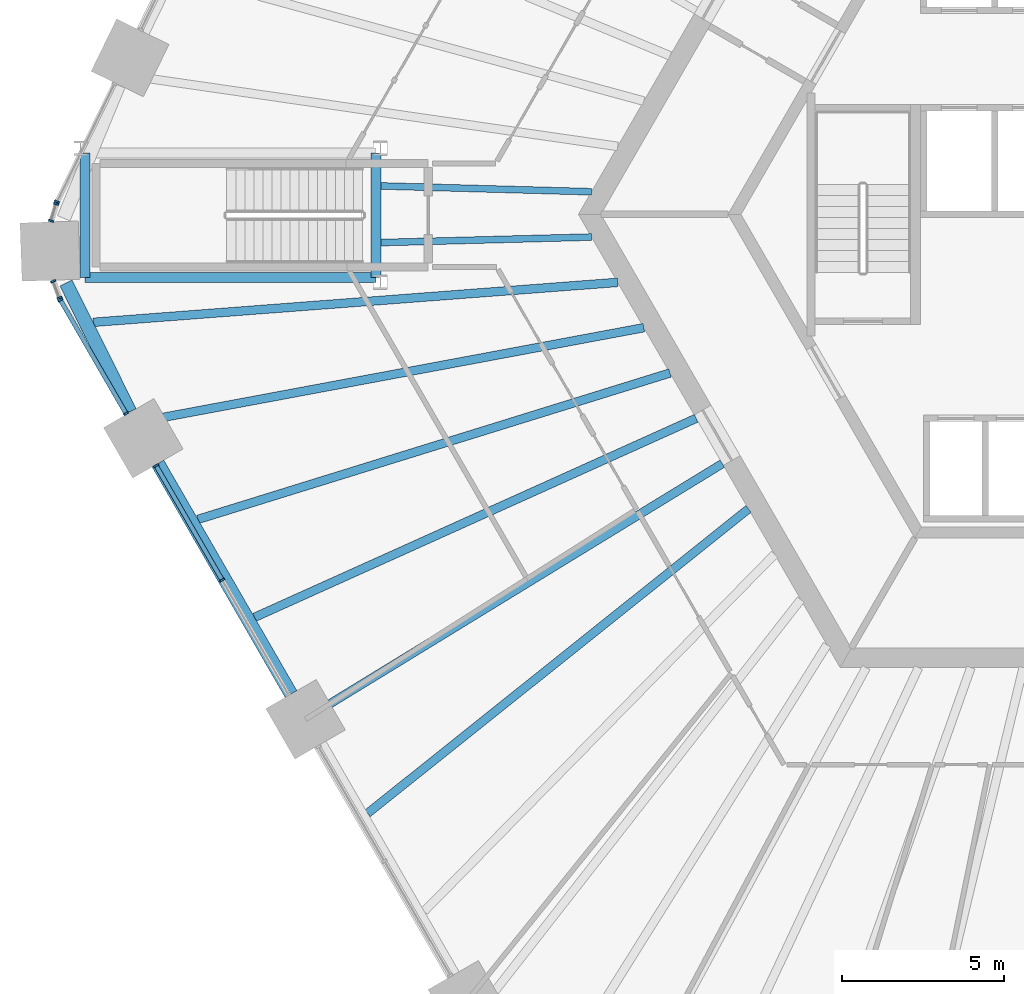
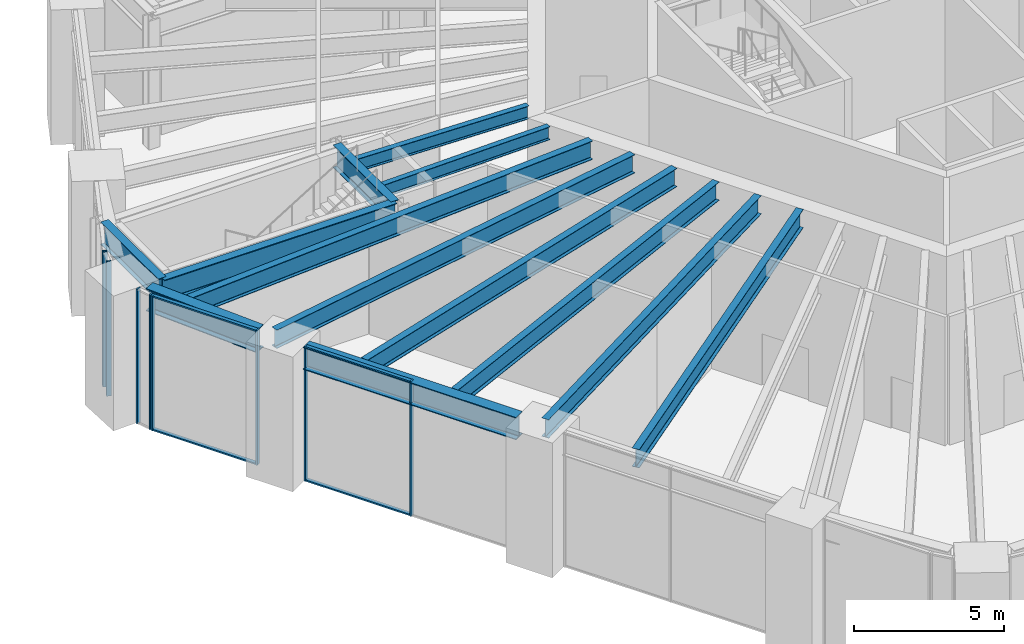
# One storey, part 4 of 30: 13 beams, 13 members, 5 elements without a shape of their own.
"""IFC4 building model written with IfcOpenShell, lengths in metres."""

from ifc_helpers import new_model, si_unit, direction, frame, origin, origin_2d, place, context, subcontext, project, spatial, rectangle, i_section, extrude, material, material_profile, profile_set, type_object, element, aggregate, save


model = new_model("IFC4")

# Units and contexts
model_context = context("Model", 3, precision=1e-05, world=origin(), true_north=direction((0.0, 1.0)))
body_context = subcontext(model_context, "Body", "Model", "MODEL_VIEW")
ifc_project = project(units=[si_unit("LENGTHUNIT", "METRE"), si_unit("AREAUNIT", "SQUARE_METRE"), si_unit("VOLUMEUNIT", "CUBIC_METRE"), si_unit("PLANEANGLEUNIT", "RADIAN"), si_unit("MASSUNIT", "GRAM", prefix="KILO")], contexts=[model_context])

# Site, building, storey
site_placement = place(None, origin())
site = spatial("IfcSite", under=ifc_project, at=site_placement, CompositionType="ELEMENT")
building_placement = place(site_placement, origin())
building = spatial("IfcBuilding", under=site, at=building_placement, Name="Tarnside Tower", CompositionType="ELEMENT")
storey_placement = place(building_placement, frame((0.0, 0.0, 15.0)))
storey = spatial("IfcBuildingStorey", under=building, at=storey_placement, Name="L02", CompositionType="ELEMENT", Elevation=15.0)

# Beams
ifc_material_1 = material(Name="Steel S355", Category="steel")
ifc_material_profile_1 = material_profile(ifc_material_1, i_section(OverallWidth=0.209228515625, OverallDepth=0.533203125, WebThickness=0.010009765625, FlangeThickness=0.015625, FilletRadius=0.0126953125, at=origin_2d()), Name="UB 533x210x92")
ifc_profile_set_1 = profile_set([ifc_material_profile_1], Name="Steel S355")
beam_type_1 = type_object("IfcBeamType", Name="Floor beam UB 533x210x92", PredefinedType="BEAM", material=ifc_profile_set_1)
beam_1_placement = place(storey_placement, frame((-22.272216796875, 0.87890625, 4.9833984375), z_axis=(0.999622442049, -0.027476778416, 0.0), x_axis=(0.027476778416, 0.999622442049, 0.0)))
element("IfcBeam", 1, at=beam_1_placement, inside=storey, type_object=beam_type_1, Name="Floor beam F2.09", PredefinedType="BEAM", context=body_context, shape_type="SweptSolid", body=[
    extrude(i_section(OverallWidth=0.209228515625, OverallDepth=0.533203125, WebThickness=0.010009765625, FlangeThickness=0.015625, FilletRadius=0.0126953125, at=origin_2d()), origin(), (0.0, 0.0, 1.0), 6.512939453125),
])
beam_2_placement = place(storey_placement, frame((-22.272216796875, -0.87109375, 4.9833984375), z_axis=(0.99965467127, 0.026278093695, 0.0), x_axis=(-0.026278093695, 0.99965467127, 0.0)))
element("IfcBeam", 2, at=beam_2_placement, inside=storey, type_object=beam_type_1, Name="Floor beam C2", PredefinedType="BEAM", context=body_context, shape_type="SweptSolid", body=[
    extrude(i_section(OverallWidth=0.209228515625, OverallDepth=0.533203125, WebThickness=0.010009765625, FlangeThickness=0.015625, FilletRadius=0.0126953125, at=origin_2d()), origin(), (0.0, 0.0, 1.0), 6.5126953125),
])
ifc_material_profile_2 = material_profile(ifc_material_1, i_section(OverallWidth=0.26513671875, OverallDepth=0.75390625, WebThickness=0.0126953125, FlangeThickness=0.017578125, FilletRadius=0.0166015625, at=origin_2d()), Name="UB 762x267x147")
ifc_profile_set_2 = profile_set([ifc_material_profile_2], Name="Steel S355")
beam_type_2 = type_object("IfcBeamType", Name="Floor beam UB 762x267x147", PredefinedType="BEAM", material=ifc_profile_set_2)
beam_3_placement = place(storey_placement, frame((-29.635498046875, -6.389892578125, 4.873046875), z_axis=(0.983039284809, 0.183395104955, 0.0), x_axis=(-0.183395104955, 0.983039284809, 0.0)))
element("IfcBeam", 3, at=beam_3_placement, inside=storey, type_object=beam_type_2, Name="Floor beam F3.02", PredefinedType="BEAM", context=body_context, shape_type="SweptSolid", body=[
    extrude(i_section(OverallWidth=0.26513671875, OverallDepth=0.75390625, WebThickness=0.0126953125, FlangeThickness=0.017578125, FilletRadius=0.0166015625, at=origin_2d()), origin(), (0.0, 0.0, 1.0), 15.7578125),
])
beam_4_placement = place(storey_placement, frame((-27.919189453125, -9.422119140625, 4.873046875), z_axis=(0.955125617377, 0.2962010382, 0.0), x_axis=(-0.2962010382, 0.955125617377, 0.0)))
element("IfcBeam", 4, at=beam_4_placement, inside=storey, type_object=beam_type_2, Name="Floor beam F3.03", PredefinedType="BEAM", context=body_context, shape_type="SweptSolid", body=[
    extrude(i_section(OverallWidth=0.26513671875, OverallDepth=0.75390625, WebThickness=0.0126953125, FlangeThickness=0.017578125, FilletRadius=0.0166015625, at=origin_2d()), origin(), (0.0, 0.0, 1.0), 15.267333984375),
])
beam_5_placement = place(storey_placement, frame((-26.171875, -12.44873046875, 4.873046875), z_axis=(0.911691503599, 0.410875409662, 0.0), x_axis=(-0.410875409662, 0.911691503599, 0.0)))
element("IfcBeam", 5, at=beam_5_placement, inside=storey, type_object=beam_type_2, Name="Floor beam F3.04", PredefinedType="BEAM", context=body_context, shape_type="SweptSolid", body=[
    extrude(i_section(OverallWidth=0.26513671875, OverallDepth=0.75390625, WebThickness=0.0126953125, FlangeThickness=0.017578125, FilletRadius=0.0166015625, at=origin_2d()), origin(), (0.0, 0.0, 1.0), 14.96484375),
])
beam_6_placement = place(storey_placement, frame((-24.42431640625, -15.47509765625, 4.873046875), z_axis=(0.852937246249, 0.522013461475, 0.0), x_axis=(-0.522013461475, 0.852937246249, 0.0)))
element("IfcBeam", 6, at=beam_6_placement, inside=storey, type_object=beam_type_2, Name="Floor beam F3.05", PredefinedType="BEAM", context=body_context, shape_type="SweptSolid", body=[
    extrude(i_section(OverallWidth=0.26513671875, OverallDepth=0.75390625, WebThickness=0.0126953125, FlangeThickness=0.017578125, FilletRadius=0.0166015625, at=origin_2d()), origin(), (0.0, 0.0, 1.0), 14.89453125),
])
beam_7_placement = place(storey_placement, frame((-22.677001953125, -18.501708984375, 4.873046875), z_axis=(0.78120872965, 0.62426991015, 0.0), x_axis=(-0.62426991015, 0.78120872965, 0.0)))
element("IfcBeam", 7, at=beam_7_placement, inside=storey, type_object=beam_type_2, Name="Floor beam F3.06", PredefinedType="BEAM", context=body_context, shape_type="SweptSolid", body=[
    extrude(i_section(OverallWidth=0.26513671875, OverallDepth=0.75390625, WebThickness=0.0126953125, FlangeThickness=0.017578125, FilletRadius=0.0166015625, at=origin_2d()), origin(), (0.0, 0.0, 1.0), 15.06005859375),
])
ifc_material_profile_3 = material_profile(ifc_material_1, i_section(OverallWidth=0.2666015625, OverallDepth=0.76220703125, WebThickness=0.014404296875, FlangeThickness=0.021484375, FilletRadius=0.0166015625, at=origin_2d()), Name="UB 762x267x173")
ifc_profile_set_3 = profile_set([ifc_material_profile_3], Name="Steel S355")
beam_type_3 = type_object("IfcBeamType", Name="Floor beam UB 762x267x173", PredefinedType="BEAM", material=ifc_profile_set_3)
beam_8_placement = place(storey_placement, frame((-31.15625, -3.33447265625, 4.868896484375), z_axis=(0.997110688509, 0.075962325269, 0.0), x_axis=(-0.075962325269, 0.997110688509, 0.0)))
element("IfcBeam", 8, at=beam_8_placement, inside=storey, type_object=beam_type_3, Name="Floor beam F3.01", PredefinedType="BEAM", context=body_context, shape_type="SweptSolid", body=[
    extrude(i_section(OverallWidth=0.2666015625, OverallDepth=0.76220703125, WebThickness=0.014404296875, FlangeThickness=0.021484375, FilletRadius=0.0166015625, at=origin_2d()), origin(), (0.0, 0.0, 1.0), 16.249755859375),
])
ifc_material_profile_4 = material_profile(ifc_material_1, i_section(OverallWidth=0.3076171875, OverallDepth=0.926513671875, WebThickness=0.01953125, FlangeThickness=0.031982421875, FilletRadius=0.01904296875, at=origin_2d()), Name="UB 914x305x289")
ifc_profile_set_4 = profile_set([ifc_material_profile_4], Name="Steel S355")
beam_type_4 = type_object("IfcBeamType", Name="Perimeter girder UB 914x305x289", PredefinedType="BEAM", material=ifc_profile_set_4)
for number, where, z_axis, x_axis, name in (
    (9, (-31.40380859375, -1.953857421875, 4.78662109375), (0.0, 1.0, 0.0), (-1.0, 0.0, 0.0), "Perimeter girder T5"),
    (10, (-22.426025390625, 1.90380859375, 4.78662109375), (0.0, -1.0, 0.0), (1.0, 0.0, 0.0), "Perimeter girder T7"),
):
    element("IfcBeam", number, at=place(storey_placement, frame(where, z_axis=z_axis, x_axis=x_axis)), inside=storey, type_object=beam_type_4, Name=name, PredefinedType="BEAM", context=body_context, shape_type="SweptSolid", body=[
        extrude(i_section(OverallWidth=0.3076171875, OverallDepth=0.926513671875, WebThickness=0.01953125, FlangeThickness=0.031982421875, FilletRadius=0.01904296875, at=origin_2d()), origin(), (0.0, 0.0, 1.0), 3.857666015625),
    ])
beam_9_placement = place(storey_placement, frame((-22.426025390625, -1.953857421875, 4.78662109375), z_axis=(-1.0, 0.0, 0.0), x_axis=(0.0, -1.0, 0.0)))
element("IfcBeam", 11, at=beam_9_placement, inside=storey, type_object=beam_type_4, Name="Perimeter girder T8", PredefinedType="BEAM", context=body_context, shape_type="SweptSolid", body=[
    extrude(i_section(OverallWidth=0.3076171875, OverallDepth=0.926513671875, WebThickness=0.01953125, FlangeThickness=0.031982421875, FilletRadius=0.01904296875, at=origin_2d()), origin(), (0.0, 0.0, 1.0), 8.977783203125),
])
ifc_material_2 = material(Name="Steel S460", Category="steel")
ifc_material_profile_5 = material_profile(ifc_material_2, i_section(OverallWidth=0.42041015625, OverallDepth=0.9208984375, WebThickness=0.021484375, FlangeThickness=0.03662109375, FilletRadius=0.024169921875, at=origin_2d()), Name="UB 914x419x388")
ifc_profile_set_5 = profile_set([ifc_material_profile_5], Name="Steel S460")
beam_type_5 = type_object("IfcBeamType", Name="Perimeter girder UB 914x419x388", PredefinedType="BEAM", material=ifc_profile_set_5)
beam_10_placement = place(storey_placement, frame((-31.995849609375, -2.119140625, 4.78955078125), z_axis=(0.44551934757, -0.895272311055, 0.0), x_axis=(0.895272311055, 0.44551934757, 0.0)))
element("IfcBeam", 12, at=beam_10_placement, inside=storey, type_object=beam_type_5, Name="Perimeter girder M08", PredefinedType="BEAM", context=body_context, shape_type="SweptSolid", body=[
    extrude(i_section(OverallWidth=0.42041015625, OverallDepth=0.9208984375, WebThickness=0.021484375, FlangeThickness=0.03662109375, FilletRadius=0.024169921875, at=origin_2d()), origin(), (0.0, 0.0, 1.0), 4.4404296875),
])
beam_11_placement = place(storey_placement, frame((-29.15771484375, -7.697509765625, 4.78955078125), z_axis=(0.500002567197, -0.866023921607, 0.0), x_axis=(0.866023921607, 0.500002567197, 0.0)))
element("IfcBeam", 13, at=beam_11_placement, inside=storey, type_object=beam_type_5, Name="Perimeter girder M09", PredefinedType="BEAM", context=body_context, shape_type="SweptSolid", body=[
    extrude(i_section(OverallWidth=0.42041015625, OverallDepth=0.9208984375, WebThickness=0.021484375, FlangeThickness=0.03662109375, FilletRadius=0.024169921875, at=origin_2d()), origin(), (0.0, 0.0, 1.0), 8.2236328125),
])

# Curtain wall, member
ifc_material_3 = material(Name="Retail shopfront glazing wall", Category="glass")
curtain_wall_type = type_object("IfcCurtainWallType", Name="Retail shopfront glazing wall", PredefinedType="NOTDEFINED", material=ifc_material_3)
curtain_wall_1_placement = place(storey_placement, origin())
curtain_wall_1 = element("IfcCurtainWall", 14, at=curtain_wall_1_placement, inside=storey, type_object=curtain_wall_type, Name="Retail shopfront glazing L02 06.0", PredefinedType="NOTDEFINED")
ifc_material_4 = material(Name="Aluminium alloy 6063", Category="aluminium")
ifc_material_profile_6 = material_profile(ifc_material_4, rectangle(XDim=0.159912109375, YDim=0.06005859375, at=origin_2d()), Name="Retail shopfront glazing mullion 60 x 160")
ifc_profile_set_6 = profile_set([ifc_material_profile_6], Name="Aluminium alloy 6063")
member_type_1 = type_object("IfcMemberType", Name="Retail shopfront glazing mullion 60 x 160", PredefinedType="MULLION", material=ifc_profile_set_6)
member_1_placement = place(storey_placement, frame((-32.27392578125, 0.393310546875, -0.25), z_axis=(0.0, 0.0, 1.0), x_axis=(0.898794046314, -0.438371146758, 0.0)))
member_1 = element("IfcMember", 15, at=member_1_placement, type_object=member_type_1, Name="CW2 mullion 2", PredefinedType="MULLION", context=body_context, shape_type="SweptSolid", body=[
    extrude(rectangle(XDim=0.159912109375, YDim=0.06005859375, at=origin_2d()), origin(), (0.0, 0.0, 1.0), 5.5),
])
aggregate(curtain_wall_1, [member_1])

# Curtain wall, members
curtain_wall_2_placement = place(storey_placement, origin())
curtain_wall_2 = element("IfcCurtainWall", 16, at=curtain_wall_2_placement, inside=storey, type_object=curtain_wall_type, Name="Retail shopfront glazing L02 06.1", PredefinedType="NOTDEFINED")
member_2_placement = place(storey_placement, frame((-32.30029296875, 0.325439453125, -0.25), z_axis=(0.0, 0.0, 1.0), x_axis=(0.957989512749, -0.286803231262, 0.0)))
member_2 = element("IfcMember", 17, at=member_2_placement, type_object=member_type_1, Name="CW2 mullion 1", PredefinedType="MULLION", context=body_context, shape_type="SweptSolid", body=[
    extrude(rectangle(XDim=0.159912109375, YDim=0.06005859375, at=origin_2d()), origin(), (0.0, 0.0, 1.0), 5.5),
])
member_3_placement = place(storey_placement, frame((-32.45751953125, -0.19970703125, -0.25), z_axis=(0.0, 0.0, 1.0), x_axis=(0.957989512749, -0.286803231262, 0.0)))
member_3 = element("IfcMember", 18, at=member_3_placement, type_object=member_type_1, Name="CW2 mullion 2", PredefinedType="MULLION", context=body_context, shape_type="SweptSolid", body=[
    extrude(rectangle(XDim=0.159912109375, YDim=0.06005859375, at=origin_2d()), origin(), (0.0, 0.0, 1.0), 5.5),
])
aggregate(curtain_wall_2, [member_2, member_3])

curtain_wall_3_placement = place(storey_placement, origin())
curtain_wall_3 = element("IfcCurtainWall", 19, at=curtain_wall_3_placement, inside=storey, type_object=curtain_wall_type, Name="Retail shopfront glazing L02 07.0", PredefinedType="NOTDEFINED")
member_4_placement = place(storey_placement, frame((-32.392578125, -2.06494140625, -0.25), z_axis=(0.0, 0.0, 1.0), x_axis=(0.935649516189, 0.352930563788, 0.0)))
member_4 = element("IfcMember", 20, at=member_4_placement, type_object=member_type_1, Name="CW2 mullion 1", PredefinedType="MULLION", context=body_context, shape_type="SweptSolid", body=[
    extrude(rectangle(XDim=0.159912109375, YDim=0.06005859375, at=origin_2d()), origin(), (0.0, 0.0, 1.0), 5.5),
])
member_5_placement = place(storey_placement, frame((-32.198974609375, -2.577880859375, -0.25), z_axis=(0.0, 0.0, 1.0), x_axis=(0.935649516189, 0.352930563788, 0.0)))
member_5 = element("IfcMember", 21, at=member_5_placement, type_object=member_type_1, Name="CW2 mullion 2", PredefinedType="MULLION", context=body_context, shape_type="SweptSolid", body=[
    extrude(rectangle(XDim=0.159912109375, YDim=0.06005859375, at=origin_2d()), origin(), (0.0, 0.0, 1.0), 5.5),
])
aggregate(curtain_wall_3, [member_4, member_5])

curtain_wall_4_placement = place(storey_placement, origin())
curtain_wall_4 = element("IfcCurtainWall", 22, at=curtain_wall_4_placement, inside=storey, type_object=curtain_wall_type, Name="Retail shopfront glazing L02 07.1", PredefinedType="NOTDEFINED")
member_6_placement = place(storey_placement, frame((-32.167724609375, -2.6435546875, -0.25), z_axis=(0.0, 0.0, 1.0), x_axis=(0.866025403767, 0.50000000003, 0.0)))
member_6 = element("IfcMember", 23, at=member_6_placement, type_object=member_type_1, Name="CW2 mullion 1", PredefinedType="MULLION", context=body_context, shape_type="SweptSolid", body=[
    extrude(rectangle(XDim=0.159912109375, YDim=0.06005859375, at=origin_2d()), origin(), (0.0, 0.0, 1.0), 5.5),
])
member_7_placement = place(storey_placement, frame((-30.141845703125, -6.152587890625, -0.25), z_axis=(0.0, 0.0, 1.0), x_axis=(0.866025403767, 0.50000000003, 0.0)))
member_7 = element("IfcMember", 24, at=member_7_placement, type_object=member_type_1, Name="CW2 mullion 2", PredefinedType="MULLION", context=body_context, shape_type="SweptSolid", body=[
    extrude(rectangle(XDim=0.159912109375, YDim=0.06005859375, at=origin_2d()), origin(), (0.0, 0.0, 1.0), 5.5),
])

curtain_wall_5_placement = place(storey_placement, origin())
curtain_wall_5 = element("IfcCurtainWall", 25, at=curtain_wall_5_placement, inside=storey, type_object=curtain_wall_type, Name="Retail shopfront glazing L02 08.0", PredefinedType="NOTDEFINED")
member_8_placement = place(storey_placement, frame((-29.2119140625, -7.763427734375, -0.25), z_axis=(0.0, 0.0, 1.0), x_axis=(0.866025403819, 0.49999999994, 0.0)))
member_8 = element("IfcMember", 26, at=member_8_placement, type_object=member_type_1, Name="CW2 mullion 1", PredefinedType="MULLION", context=body_context, shape_type="SweptSolid", body=[
    extrude(rectangle(XDim=0.159912109375, YDim=0.06005859375, at=origin_2d()), origin(), (0.0, 0.0, 1.0), 5.5),
])
member_9_placement = place(storey_placement, frame((-27.1708984375, -11.29833984375, -0.25), z_axis=(0.0, 0.0, 1.0), x_axis=(0.866025403819, 0.49999999994, 0.0)))
member_9 = element("IfcMember", 27, at=member_9_placement, type_object=member_type_1, Name="CW2 mullion 2", PredefinedType="MULLION", context=body_context, shape_type="SweptSolid", body=[
    extrude(rectangle(XDim=0.159912109375, YDim=0.06005859375, at=origin_2d()), origin(), (0.0, 0.0, 1.0), 5.5),
])

# Member
ifc_material_profile_7 = material_profile(ifc_material_4, rectangle(XDim=0.139892578125, YDim=0.06005859375, at=origin_2d()), Name="Retail shopfront glazing transom 60 x 140")
ifc_profile_set_7 = profile_set([ifc_material_profile_7], Name="Aluminium alloy 6063")
member_type_2 = type_object("IfcMemberType", Name="Retail shopfront glazing transom 60 x 140", PredefinedType="USERDEFINED", material=ifc_profile_set_7)
member_10_placement = place(storey_placement, frame((-32.15283203125, -2.669677734375, -0.219970703125), z_axis=(0.499987164874, -0.866032814021, 0.0), x_axis=(0.866032814021, 0.499987164874, 0.0)))
member_10 = element("IfcMember", 28, at=member_10_placement, type_object=member_type_2, Name="CW2 transom 1.1", ObjectType="TRANSOM", PredefinedType="USERDEFINED", context=body_context, shape_type="SweptSolid", body=[
    extrude(rectangle(XDim=0.139892578125, YDim=0.06005859375, at=origin_2d()), origin(), (0.0, 0.0, 1.0), 3.99169921875),
])

member_11_placement = place(storey_placement, frame((-32.15283203125, -2.669677734375, 5.219970703125), z_axis=(0.499987164874, -0.866032814021, 0.0), x_axis=(0.866032814021, 0.499987164874, 0.0)))
member_11 = element("IfcMember", 29, at=member_11_placement, type_object=member_type_2, Name="CW2 transom 1.2", ObjectType="TRANSOM", PredefinedType="USERDEFINED", context=body_context, shape_type="SweptSolid", body=[
    extrude(rectangle(XDim=0.139892578125, YDim=0.06005859375, at=origin_2d()), origin(), (0.0, 0.0, 1.0), 3.99169921875),
])

aggregate(curtain_wall_4, [member_6, member_7, member_10, member_11])

member_12_placement = place(storey_placement, frame((-29.197021484375, -7.78955078125, -0.219970703125), z_axis=(0.500023722852, -0.866011706956, 0.0), x_axis=(0.866011706956, 0.500023722852, 0.0)))
member_12 = element("IfcMember", 30, at=member_12_placement, type_object=member_type_2, Name="CW2 transom 1.1", ObjectType="TRANSOM", PredefinedType="USERDEFINED", context=body_context, shape_type="SweptSolid", body=[
    extrude(rectangle(XDim=0.139892578125, YDim=0.06005859375, at=origin_2d()), origin(), (0.0, 0.0, 1.0), 4.021728515625),
])

member_13_placement = place(storey_placement, frame((-29.197021484375, -7.78955078125, 5.219970703125), z_axis=(0.500023722852, -0.866011706956, 0.0), x_axis=(0.866011706956, 0.500023722852, 0.0)))
member_13 = element("IfcMember", 31, at=member_13_placement, type_object=member_type_2, Name="CW2 transom 1.2", ObjectType="TRANSOM", PredefinedType="USERDEFINED", context=body_context, shape_type="SweptSolid", body=[
    extrude(rectangle(XDim=0.139892578125, YDim=0.06005859375, at=origin_2d()), origin(), (0.0, 0.0, 1.0), 4.021728515625),
])

aggregate(curtain_wall_5, [member_8, member_9, member_12, member_13])

save(model, "model.ifc")
